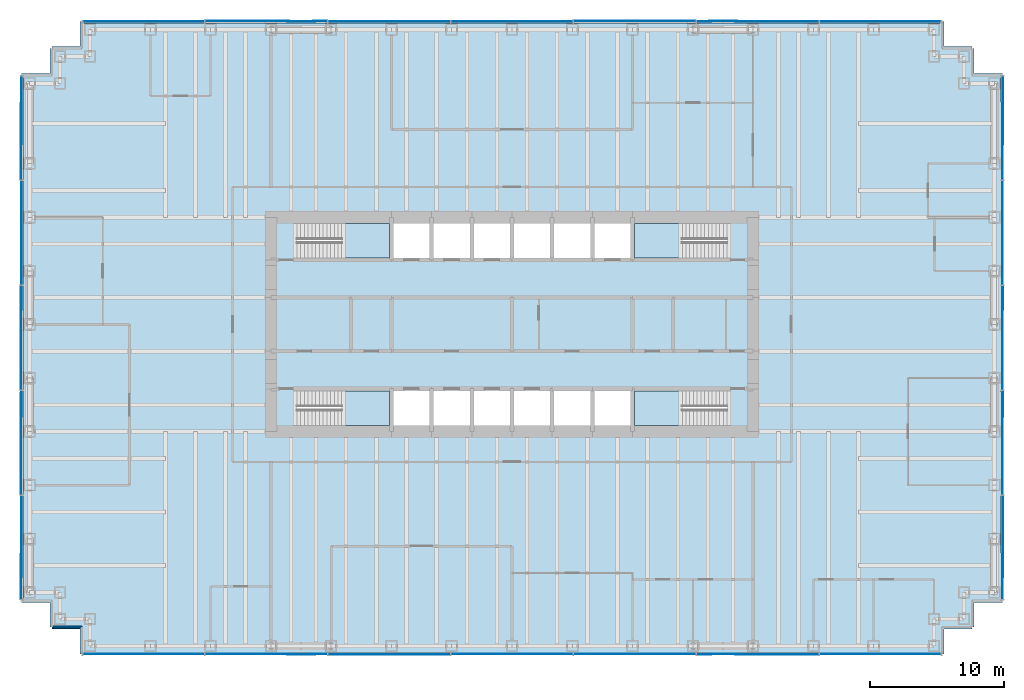
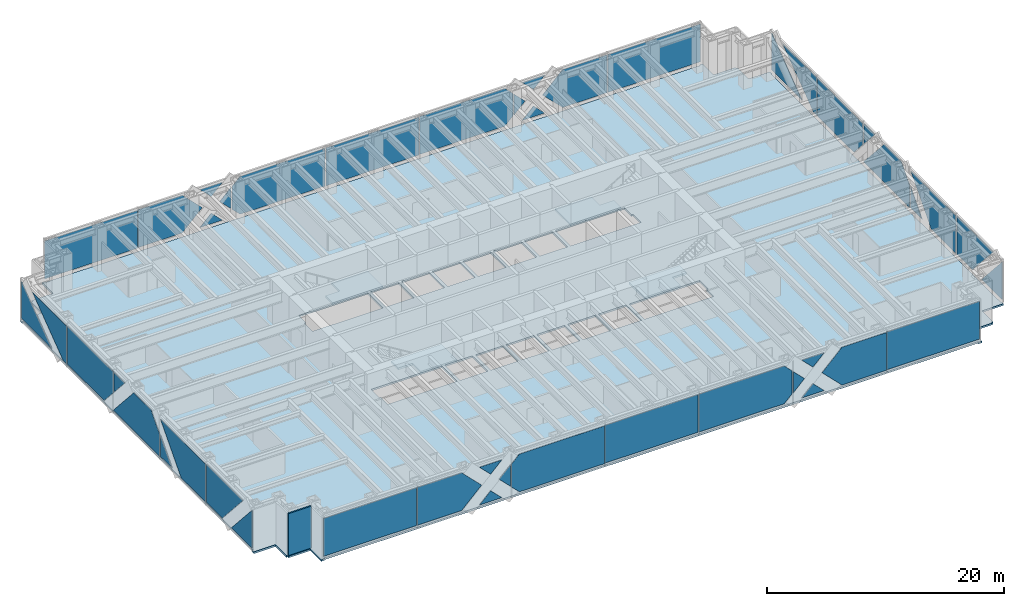
# One storey, part 8 of 13: 44 plates, 5 slabs, 1 wall, 8 elements without a shape of their own.
"""IFC4 building model written with IfcOpenShell, lengths in metres."""

from ifc_helpers import new_model, si_unit, direction, frame, frame_2d, origin, origin_2d, place, context, subcontext, project, spatial, polyline, rectangle, outline, extrude, material, layer, layer_set, type_object, element, aggregate, save


model = new_model("IFC4")

# Units and contexts
model_context = context("Model", 3, precision=1e-05, world=origin(), true_north=direction((0.0, 1.0)))
body_context = subcontext(model_context, "Body", "Model", "MODEL_VIEW")
ifc_project = project(units=[si_unit("LENGTHUNIT", "METRE"), si_unit("AREAUNIT", "SQUARE_METRE"), si_unit("VOLUMEUNIT", "CUBIC_METRE"), si_unit("PLANEANGLEUNIT", "RADIAN"), si_unit("MASSUNIT", "GRAM", prefix="KILO")], contexts=[model_context])

# Site, building, storey
site_placement = place(None, origin())
site = spatial("IfcSite", under=ifc_project, at=site_placement, CompositionType="ELEMENT")
building_placement = place(site_placement, origin())
building = spatial("IfcBuilding", under=site, at=building_placement, Name="Rheinbord Bourse Tower", CompositionType="ELEMENT")
storey_placement = place(building_placement, frame((0.0, 0.0, 77.0)))
storey = spatial("IfcBuildingStorey", under=building, at=storey_placement, Name="L16", CompositionType="ELEMENT", Elevation=77.0)

# Slab
ifc_material_1 = material(Name="Concrete C30/37", Category="concrete")
ifc_layer_1 = layer(ifc_material_1, 0.179931640625)
ifc_layer_set_1 = layer_set([ifc_layer_1], Name="COMPOSITE FLOOR SLAB 180")
slab_type_1 = type_object("IfcSlabType", Name="COMPOSITE FLOOR SLAB 180", PredefinedType="FLOOR", material=ifc_layer_set_1)
slab_1_placement = place(storey_placement, frame((0.0, 0.0, -0.179931640625)))
element("IfcSlab", 1, at=slab_1_placement, inside=storey, type_object=slab_type_1, Name="Floor slab L16", PredefinedType="FLOOR", context=body_context, shape_type="SweptSolid", body=[
    extrude(outline(polyline([(1.64990234375, 1.39990234375), (1.5, 1.39990234375), (1.5, 3.25), (-0.60009765625, 3.25), (-0.60009765625, 3.550048828125), (-0.5, 3.550048828125), (-0.5, 42.449951171875), (-0.60009765625, 42.449951171875), (-0.60009765625, 42.75), (1.5, 42.75), (1.5, 44.60009765625), (1.64990234375, 44.60009765625), (1.64990234375, 44.75), (3.75, 44.75), (3.75, 46.60009765625), (4.050048828125, 46.60009765625), (4.050048828125, 46.5), (67.949951171875, 46.5), (67.949951171875, 46.60009765625), (68.25, 46.60009765625), (68.25, 44.75), (70.35009765625, 44.75), (70.35009765625, 44.60009765625), (70.5, 44.60009765625), (70.5, 42.75), (72.60009765625, 42.75), (72.60009765625, 42.449951171875), (72.5, 42.449951171875), (72.5, 3.550048828125), (72.60009765625, 3.550048828125), (72.60009765625, 3.25), (70.5, 3.25), (70.5, 1.39990234375), (70.35009765625, 1.39990234375), (70.35009765625, 1.25), (68.25, 1.25), (68.25, -0.60009765625), (67.949951171875, -0.60009765625), (67.949951171875, -0.5), (4.050048828125, -0.5), (4.050048828125, -0.60009765625), (3.75, -0.60009765625), (3.75, 1.25), (1.64990234375, 1.25), (1.64990234375, 1.39990234375)]), holes=[polyline([(19.949951171875, 19.050048828125), (26.85009765625, 19.050048828125), (26.85009765625, 16.449951171875), (20.10009765625, 16.449951171875), (20.10009765625, 17.64990234375), (19.949951171875, 17.64990234375), (19.949951171875, 19.050048828125)]), polyline([(26.85009765625, 31.550048828125), (26.85009765625, 28.949951171875), (19.949951171875, 28.949951171875), (19.949951171875, 30.35009765625), (20.10009765625, 30.35009765625), (20.10009765625, 31.550048828125), (26.85009765625, 31.550048828125)]), polyline([(45.14990234375, 16.449951171875), (45.14990234375, 19.050048828125), (52.050048828125, 19.050048828125), (52.050048828125, 17.64990234375), (51.89990234375, 17.64990234375), (51.89990234375, 16.449951171875), (45.14990234375, 16.449951171875)]), polyline([(52.050048828125, 28.949951171875), (45.14990234375, 28.949951171875), (45.14990234375, 31.550048828125), (51.89990234375, 31.550048828125), (51.89990234375, 30.35009765625), (52.050048828125, 30.35009765625), (52.050048828125, 28.949951171875)]), polyline([(27.14990234375, 16.449951171875), (27.14990234375, 19.050048828125), (29.85009765625, 19.050048828125), (29.85009765625, 16.449951171875), (27.14990234375, 16.449951171875)]), polyline([(27.14990234375, 28.949951171875), (27.14990234375, 31.550048828125), (29.85009765625, 31.550048828125), (29.85009765625, 28.949951171875), (27.14990234375, 28.949951171875)]), polyline([(30.14990234375, 16.449951171875), (30.14990234375, 19.050048828125), (32.85009765625, 19.050048828125), (32.85009765625, 16.449951171875), (30.14990234375, 16.449951171875)]), polyline([(30.14990234375, 28.949951171875), (30.14990234375, 31.550048828125), (32.85009765625, 31.550048828125), (32.85009765625, 28.949951171875), (30.14990234375, 28.949951171875)]), polyline([(33.14990234375, 16.449951171875), (33.14990234375, 19.050048828125), (35.85009765625, 19.050048828125), (35.85009765625, 16.449951171875), (33.14990234375, 16.449951171875)]), polyline([(33.14990234375, 28.949951171875), (33.14990234375, 31.550048828125), (35.85009765625, 31.550048828125), (35.85009765625, 28.949951171875), (33.14990234375, 28.949951171875)]), polyline([(36.14990234375, 16.449951171875), (36.14990234375, 19.050048828125), (38.85009765625, 19.050048828125), (38.85009765625, 16.449951171875), (36.14990234375, 16.449951171875)]), polyline([(36.14990234375, 28.949951171875), (36.14990234375, 31.550048828125), (38.85009765625, 31.550048828125), (38.85009765625, 28.949951171875), (36.14990234375, 28.949951171875)]), polyline([(39.14990234375, 16.449951171875), (39.14990234375, 19.050048828125), (41.85009765625, 19.050048828125), (41.85009765625, 16.449951171875), (39.14990234375, 16.449951171875)]), polyline([(39.14990234375, 28.949951171875), (39.14990234375, 31.550048828125), (41.85009765625, 31.550048828125), (41.85009765625, 28.949951171875), (39.14990234375, 28.949951171875)]), polyline([(42.14990234375, 16.449951171875), (42.14990234375, 19.050048828125), (44.85009765625, 19.050048828125), (44.85009765625, 16.449951171875), (42.14990234375, 16.449951171875)]), polyline([(42.14990234375, 28.949951171875), (42.14990234375, 31.550048828125), (44.85009765625, 31.550048828125), (44.85009765625, 28.949951171875), (42.14990234375, 28.949951171875)])]), origin(), (0.0, 0.0, 1.0), 0.179931640625),
])

# Curtain wall, plates
ifc_material_2 = material(Name="Dark glass and black aluminium", Category="aluminium")
curtain_wall_type = type_object("IfcCurtainWallType", Name="CW1 DARK GLASS CURTAIN WALL", PredefinedType="USERDEFINED", material=ifc_material_2)
curtain_wall_1_placement = place(storey_placement, origin())
curtain_wall_1 = element("IfcCurtainWall", 2, at=curtain_wall_1_placement, inside=storey, type_object=curtain_wall_type, Name="Curtain wall CW1 S L16", ObjectType="UNITISED CURTAIN WALL", PredefinedType="USERDEFINED")
ifc_material_3 = material(Name="Dark tinted triple insulating glass", Category="glass")
ifc_layer_2 = layer(ifc_material_3, 0.0439453125)
ifc_layer_set_2 = layer_set([ifc_layer_2], Name="CW1 DARK GLASS PANEL")
plate_type = type_object("IfcPlateType", Name="CW1 DARK GLASS PANEL", PredefinedType="CURTAIN_PANEL", material=ifc_layer_set_2)
plate_1_placement = place(storey_placement, frame((8.505615234375, -0.60009765625, 0.300048828125), z_axis=(0.0, 0.0, 1.0), x_axis=(1.0, 0.0, 0.0)))
plate_1 = element("IfcPlate", 3, at=plate_1_placement, type_object=plate_type, Name="CW1 panel 1.1", PredefinedType="CURTAIN_PANEL", context=body_context, shape_type="SweptSolid", body=[
    extrude(rectangle(XDim=9.051513671875, YDim=0.0439453125, at=origin_2d()), origin(), (0.0, 0.0, 1.0), 3.89990234375),
])
plate_2_placement = place(storey_placement, frame((36.0, -0.60009765625, 0.300048828125), z_axis=(0.0, 0.0, 1.0), x_axis=(1.0, 0.0, 0.0)))
plate_2 = element("IfcPlate", 4, at=plate_2_placement, type_object=plate_type, Name="CW1 panel 4.1", PredefinedType="CURTAIN_PANEL", context=body_context, shape_type="SweptSolid", body=[
    extrude(rectangle(XDim=9.09130859375, YDim=0.0439453125, at=origin_2d()), origin(), (0.0, 0.0, 1.0), 3.89990234375),
])
plate_3_placement = place(storey_placement, frame((63.494384765625, -0.60009765625, 0.300048828125), z_axis=(0.0, 0.0, 1.0), x_axis=(1.0, 0.0, 0.0)))
plate_3 = element("IfcPlate", 5, at=plate_3_placement, type_object=plate_type, Name="CW1 panel 7.1", PredefinedType="CURTAIN_PANEL", context=body_context, shape_type="SweptSolid", body=[
    extrude(rectangle(XDim=9.051513671875, YDim=0.0439453125, at=origin_2d()), origin(), (0.0, 0.0, 1.0), 3.89990234375),
])
plate_4_placement = place(storey_placement, frame((13.111083984375, -0.6220703125, 0.300048828125), z_axis=(0.0, 1.0, 0.0), x_axis=(0.0, 0.0, 1.0)))
plate_4 = element("IfcPlate", 6, at=plate_4_placement, type_object=plate_type, Name="CW1 glass facet 1", PredefinedType="CURTAIN_PANEL", context=body_context, shape_type="SweptSolid", body=[
    extrude(outline(polyline([(0.0, 0.0), (3.89990234375, 0.0), (3.89990234375, 4.3330078125), (1.949951171875, 6.282958984375), (0.0, 4.3330078125), (0.0, 0.0)])), origin(), (0.0, 0.0, 1.0), 0.0439453125),
])
plate_5_placement = place(storey_placement, frame((19.156005859375, -0.6708984375, 0.300048828125), z_axis=(0.0, 1.0, 0.0), x_axis=(0.707106781187, 0.0, 0.707106781187)))
plate_5 = element("IfcPlate", 7, at=plate_5_placement, type_object=plate_type, Name="CW1 glass facet 2", PredefinedType="CURTAIN_PANEL", context=body_context, shape_type="SweptSolid", body=[
    extrude(outline(polyline([(0.0, 0.0), (1.547119140625, 0.0), (1.547119140625, 1.547119140625), (0.0, 0.0)])), origin(), (0.0, 0.0, 1.0), 0.0439453125),
])
plate_6_placement = place(storey_placement, frame((21.343994140625, -0.6708984375, 4.199951171875), z_axis=(0.0, 1.0, 0.0), x_axis=(-0.707106781187, 0.0, -0.707106781187)))
plate_6 = element("IfcPlate", 8, at=plate_6_placement, type_object=plate_type, Name="CW1 glass facet 3", PredefinedType="CURTAIN_PANEL", context=body_context, shape_type="SweptSolid", body=[
    extrude(outline(polyline([(0.0, 0.0), (1.547119140625, 0.0), (1.547119140625, 1.547119140625), (0.0, 0.0)])), origin(), (0.0, 0.0, 1.0), 0.0439453125),
])
plate_7_placement = place(storey_placement, frame((22.202880859375, -0.6220703125, 1.153076171875), z_axis=(0.0, 1.0, 0.0), x_axis=(-0.707106781187, 0.0, 0.707106781187)))
plate_7 = element("IfcPlate", 9, at=plate_7_placement, type_object=plate_type, Name="CW1 glass facet 4", PredefinedType="CURTAIN_PANEL", context=body_context, shape_type="SweptSolid", body=[
    extrude(outline(polyline([(0.0, 0.0), (1.55126953125, 0.0), (1.55126953125, 1.55126953125), (0.0, 0.0)])), origin(), (0.0, 0.0, 1.0), 0.0439453125),
])
plate_8_placement = place(storey_placement, frame((31.3740234375, -0.6708984375, 4.199951171875), z_axis=(0.0, 1.0, 0.0), x_axis=(0.0, 0.0, -1.0)))
plate_8 = element("IfcPlate", 10, at=plate_8_placement, type_object=plate_type, Name="CW1 glass facet 1", PredefinedType="CURTAIN_PANEL", context=body_context, shape_type="SweptSolid", body=[
    extrude(outline(polyline([(0.0, 0.0), (3.89990234375, 0.0), (3.89990234375, 8.318115234375), (3.126953125, 9.091064453125), (0.77294921875, 9.091064453125), (0.0, 8.318115234375), (0.0, 0.0)])), origin(), (0.0, 0.0, 1.0), 0.0439453125),
])
plate_9_placement = place(storey_placement, frame((40.6259765625, -0.6220703125, 0.300048828125), z_axis=(0.0, 1.0, 0.0), x_axis=(0.0, 0.0, 1.0)))
plate_9 = element("IfcPlate", 11, at=plate_9_placement, type_object=plate_type, Name="CW1 glass facet 1", PredefinedType="CURTAIN_PANEL", context=body_context, shape_type="SweptSolid", body=[
    extrude(outline(polyline([(0.0, 0.0), (3.89990234375, 0.0), (3.89990234375, 8.318115234375), (3.126953125, 9.091064453125), (0.77294921875, 9.091064453125), (0.0, 8.318115234375), (0.0, 0.0)])), origin(), (0.0, 0.0, 1.0), 0.0439453125),
])
plate_10_placement = place(storey_placement, frame((49.797119140625, -0.6708984375, 3.346923828125), z_axis=(0.0, 1.0, 0.0), x_axis=(0.707106781187, 0.0, -0.707106781187)))
plate_10 = element("IfcPlate", 12, at=plate_10_placement, type_object=plate_type, Name="CW1 glass facet 1", PredefinedType="CURTAIN_PANEL", context=body_context, shape_type="SweptSolid", body=[
    extrude(outline(polyline([(0.0, 0.0), (1.55126953125, 0.0), (1.55126953125, 1.55126953125), (0.0, 0.0)])), origin(), (0.0, 0.0, 1.0), 0.0439453125),
])
plate_11_placement = place(storey_placement, frame((50.656005859375, -0.6220703125, 0.300048828125), z_axis=(0.0, 1.0, 0.0), x_axis=(0.707106781187, 0.0, 0.707106781187)))
plate_11 = element("IfcPlate", 13, at=plate_11_placement, type_object=plate_type, Name="CW1 glass facet 2", PredefinedType="CURTAIN_PANEL", context=body_context, shape_type="SweptSolid", body=[
    extrude(outline(polyline([(0.0, 0.0), (1.547119140625, 0.0), (1.547119140625, 1.547119140625), (0.0, 0.0)])), origin(), (0.0, 0.0, 1.0), 0.0439453125),
])
plate_12_placement = place(storey_placement, frame((52.843994140625, -0.6220703125, 4.199951171875), z_axis=(0.0, 1.0, 0.0), x_axis=(-0.707106781187, 0.0, -0.707106781187)))
plate_12 = element("IfcPlate", 14, at=plate_12_placement, type_object=plate_type, Name="CW1 glass facet 3", PredefinedType="CURTAIN_PANEL", context=body_context, shape_type="SweptSolid", body=[
    extrude(outline(polyline([(0.0, 0.0), (1.547119140625, 0.0), (1.547119140625, 1.547119140625), (0.0, 0.0)])), origin(), (0.0, 0.0, 1.0), 0.0439453125),
])
plate_13_placement = place(storey_placement, frame((58.888916015625, -0.6708984375, 4.199951171875), z_axis=(0.0, 1.0, 0.0), x_axis=(0.0, 0.0, -1.0)))
plate_13 = element("IfcPlate", 15, at=plate_13_placement, type_object=plate_type, Name="CW1 glass facet 4", PredefinedType="CURTAIN_PANEL", context=body_context, shape_type="SweptSolid", body=[
    extrude(outline(polyline([(0.0, 0.0), (3.89990234375, 0.0), (3.89990234375, 4.3330078125), (1.949951171875, 6.282958984375), (0.0, 4.3330078125), (0.0, 0.0)])), origin(), (0.0, 0.0, 1.0), 0.0439453125),
])
aggregate(curtain_wall_1, [plate_1, plate_2, plate_3, plate_4, plate_5, plate_6, plate_7, plate_8, plate_9, plate_10, plate_11, plate_12, plate_13])

curtain_wall_2_placement = place(storey_placement, origin())
curtain_wall_2 = element("IfcCurtainWall", 16, at=curtain_wall_2_placement, inside=storey, type_object=curtain_wall_type, Name="Curtain wall CW1 E L16", ObjectType="UNITISED CURTAIN WALL", PredefinedType="USERDEFINED")
plate_14_placement = place(storey_placement, frame((72.6220703125, 3.47998046875, 0.300048828125), z_axis=(-1.0, 0.0, 0.0), x_axis=(0.0, 0.0, 1.0)))
plate_14 = element("IfcPlate", 17, at=plate_14_placement, type_object=plate_type, Name="CW1 glass facet 1", PredefinedType="CURTAIN_PANEL", context=body_context, shape_type="SweptSolid", body=[
    extrude(outline(polyline([(0.0, 0.0), (3.8740234375, 0.0), (0.0, 3.444091796875), (0.0, 0.0)])), origin(), (0.0, 0.0, 1.0), 0.0439453125),
])
plate_15_placement = place(storey_placement, frame((72.6708984375, 11.199951171875, 4.199951171875), z_axis=(-1.0, 0.0, 0.0), x_axis=(0.0, 0.0, -1.0)))
plate_15 = element("IfcPlate", 18, at=plate_15_placement, type_object=plate_type, Name="CW1 glass facet 2", PredefinedType="CURTAIN_PANEL", context=body_context, shape_type="SweptSolid", body=[
    extrude(outline(polyline([(0.0, 0.0), (3.89990234375, 0.0), (3.89990234375, 2.656982421875), (0.0, 6.1240234375), (0.0, 0.0)])), origin(), (0.0, 0.0, 1.0), 0.0439453125),
])
plate_16_placement = place(storey_placement, frame((72.6220703125, 11.280029296875, 0.300048828125), z_axis=(-1.0, 0.0, 0.0), x_axis=(0.0, 0.0, 1.0)))
plate_16 = element("IfcPlate", 19, at=plate_16_placement, type_object=plate_type, Name="CW1 glass facet 1", PredefinedType="CURTAIN_PANEL", context=body_context, shape_type="SweptSolid", body=[
    extrude(outline(polyline([(0.0, 0.0), (3.89990234375, 0.0), (3.89990234375, 7.64404296875), (0.0, 4.177001953125), (0.0, 0.0)])), origin(), (0.0, 0.0, 1.0), 0.0439453125),
])
plate_17_placement = place(storey_placement, frame((72.6708984375, 19.0400390625, 0.300048828125), z_axis=(-1.0, 0.0, 0.0), x_axis=(0.0, -1.0, 0.0)))
plate_17 = element("IfcPlate", 20, at=plate_17_placement, type_object=plate_type, Name="CW1 glass facet 2", PredefinedType="CURTAIN_PANEL", context=body_context, shape_type="SweptSolid", body=[
    extrude(outline(polyline([(0.0, 0.0), (1.964111328125, 0.0), (0.0, 2.208984375), (0.0, 0.0)])), origin(), (0.0, 0.0, 1.0), 0.0439453125),
])
plate_18_placement = place(storey_placement, frame((72.6220703125, 26.8798828125, 0.300048828125), z_axis=(-1.0, 0.0, 0.0), x_axis=(0.0, -1.0, 0.0)))
plate_18 = element("IfcPlate", 21, at=plate_18_placement, type_object=plate_type, Name="CW1 glass facet 1", PredefinedType="CURTAIN_PANEL", context=body_context, shape_type="SweptSolid", body=[
    extrude(outline(polyline([(0.0, 0.0), (7.759765625, 0.0), (7.759765625, 2.299072265625), (6.3369140625, 3.89990234375), (3.4228515625, 3.89990234375), (0.0, 0.049072265625), (0.0, 0.0)])), origin(), (0.0, 0.0, 1.0), 0.0439453125),
])
plate_19_placement = place(storey_placement, frame((72.6708984375, 26.8798828125, 4.199951171875), z_axis=(-1.0, 0.0, 0.0), x_axis=(0.0, 0.0, -1.0)))
plate_19 = element("IfcPlate", 22, at=plate_19_placement, type_object=plate_type, Name="CW1 glass facet 2", PredefinedType="CURTAIN_PANEL", context=body_context, shape_type="SweptSolid", body=[
    extrude(outline(polyline([(0.0, 0.0), (2.029052734375, 0.0), (0.0, 1.803955078125), (0.0, 0.0)])), origin(), (0.0, 0.0, 1.0), 0.0439453125),
])
plate_20_placement = place(storey_placement, frame((72.6220703125, 26.9599609375, 4.199951171875), z_axis=(-1.0, 0.0, 0.0), x_axis=(0.0, 1.0, 0.0)))
plate_20 = element("IfcPlate", 23, at=plate_20_placement, type_object=plate_type, Name="CW1 glass facet 1", PredefinedType="CURTAIN_PANEL", context=body_context, shape_type="SweptSolid", body=[
    extrude(outline(polyline([(0.0, 0.0), (7.760009765625, 0.0), (7.760009765625, 3.89990234375), (1.5830078125, 3.89990234375), (0.0, 2.118896484375), (0.0, 0.0)])), origin(), (0.0, 0.0, 1.0), 0.0439453125),
])
plate_21_placement = place(storey_placement, frame((72.6220703125, 34.800048828125, 0.300048828125), z_axis=(-1.0, 0.0, 0.0), x_axis=(0.0, 0.0, 1.0)))
plate_21 = element("IfcPlate", 24, at=plate_21_placement, type_object=plate_type, Name="CW1 glass facet 1", PredefinedType="CURTAIN_PANEL", context=body_context, shape_type="SweptSolid", body=[
    extrude(outline(polyline([(0.0, 0.0), (3.89990234375, 0.0), (3.89990234375, 5.7919921875), (0.0, 0.592041015625), (0.0, 0.0)])), origin(), (0.0, 0.0, 1.0), 0.0439453125),
])
plate_22_placement = place(storey_placement, frame((72.6708984375, 42.52001953125, 0.300048828125), z_axis=(-1.0, 0.0, 0.0), x_axis=(0.0, -1.0, 0.0)))
plate_22 = element("IfcPlate", 25, at=plate_22_placement, type_object=plate_type, Name="CW1 glass facet 2", PredefinedType="CURTAIN_PANEL", context=body_context, shape_type="SweptSolid", body=[
    extrude(outline(polyline([(0.0, 0.0), (5.112060546875, 0.0), (0.0, 3.833984375), (0.0, 0.0)])), origin(), (0.0, 0.0, 1.0), 0.0439453125),
])
aggregate(curtain_wall_2, [plate_14, plate_15, plate_16, plate_17, plate_18, plate_19, plate_20, plate_21, plate_22])

curtain_wall_3_placement = place(storey_placement, origin())
curtain_wall_3 = element("IfcCurtainWall", 26, at=curtain_wall_3_placement, inside=storey, type_object=curtain_wall_type, Name="Curtain wall CW1 N L16", ObjectType="UNITISED CURTAIN WALL", PredefinedType="USERDEFINED")
plate_23_placement = place(storey_placement, frame((63.494384765625, 46.60009765625, 0.300048828125), z_axis=(0.0, 0.0, 1.0), x_axis=(-1.0, 0.0, 0.0)))
plate_23 = element("IfcPlate", 27, at=plate_23_placement, type_object=plate_type, Name="CW1 panel 1.1", PredefinedType="CURTAIN_PANEL", context=body_context, shape_type="SweptSolid", body=[
    extrude(rectangle(XDim=9.051513671875, YDim=0.0439453125, at=origin_2d()), origin(), (0.0, 0.0, 1.0), 3.89990234375),
])
plate_24_placement = place(storey_placement, frame((36.0, 46.60009765625, 0.300048828125), z_axis=(0.0, 0.0, 1.0), x_axis=(-1.0, 0.0, 0.0)))
plate_24 = element("IfcPlate", 28, at=plate_24_placement, type_object=plate_type, Name="CW1 panel 4.1", PredefinedType="CURTAIN_PANEL", context=body_context, shape_type="SweptSolid", body=[
    extrude(rectangle(XDim=9.09130859375, YDim=0.0439453125, at=origin_2d()), origin(), (0.0, 0.0, 1.0), 3.89990234375),
])
plate_25_placement = place(storey_placement, frame((8.505615234375, 46.60009765625, 0.300048828125), z_axis=(0.0, 0.0, 1.0), x_axis=(-1.0, 0.0, 0.0)))
plate_25 = element("IfcPlate", 29, at=plate_25_placement, type_object=plate_type, Name="CW1 panel 7.1", PredefinedType="CURTAIN_PANEL", context=body_context, shape_type="SweptSolid", body=[
    extrude(rectangle(XDim=9.051513671875, YDim=0.0439453125, at=origin_2d()), origin(), (0.0, 0.0, 1.0), 3.89990234375),
])
plate_26_placement = place(storey_placement, frame((58.888916015625, 46.6220703125, 0.300048828125), z_axis=(0.0, -1.0, 0.0), x_axis=(0.0, 0.0, 1.0)))
plate_26 = element("IfcPlate", 30, at=plate_26_placement, type_object=plate_type, Name="CW1 glass facet 1", PredefinedType="CURTAIN_PANEL", context=body_context, shape_type="SweptSolid", body=[
    extrude(outline(polyline([(0.0, 0.0), (3.89990234375, 0.0), (3.89990234375, 4.3330078125), (1.949951171875, 6.282958984375), (0.0, 4.3330078125), (0.0, 0.0)])), origin(), (0.0, 0.0, 1.0), 0.0439453125),
])
plate_27_placement = place(storey_placement, frame((52.843994140625, 46.6708984375, 0.300048828125), z_axis=(0.0, -1.0, 0.0), x_axis=(-0.707106781187, 0.0, 0.707106781187)))
plate_27 = element("IfcPlate", 31, at=plate_27_placement, type_object=plate_type, Name="CW1 glass facet 2", PredefinedType="CURTAIN_PANEL", context=body_context, shape_type="SweptSolid", body=[
    extrude(outline(polyline([(0.0, 0.0), (1.547119140625, 0.0), (1.547119140625, 1.547119140625), (0.0, 0.0)])), origin(), (0.0, 0.0, 1.0), 0.0439453125),
])
plate_28_placement = place(storey_placement, frame((50.656005859375, 46.6708984375, 4.199951171875), z_axis=(0.0, -1.0, 0.0), x_axis=(0.707106781187, 0.0, -0.707106781187)))
plate_28 = element("IfcPlate", 32, at=plate_28_placement, type_object=plate_type, Name="CW1 glass facet 3", PredefinedType="CURTAIN_PANEL", context=body_context, shape_type="SweptSolid", body=[
    extrude(outline(polyline([(0.0, 0.0), (1.547119140625, 0.0), (1.547119140625, 1.547119140625), (0.0, 0.0)])), origin(), (0.0, 0.0, 1.0), 0.0439453125),
])
plate_29_placement = place(storey_placement, frame((49.797119140625, 46.6220703125, 1.153076171875), z_axis=(0.0, -1.0, 0.0), x_axis=(0.707106781187, 0.0, 0.707106781187)))
plate_29 = element("IfcPlate", 33, at=plate_29_placement, type_object=plate_type, Name="CW1 glass facet 4", PredefinedType="CURTAIN_PANEL", context=body_context, shape_type="SweptSolid", body=[
    extrude(outline(polyline([(0.0, 0.0), (1.55126953125, 0.0), (1.55126953125, 1.55126953125), (0.0, 0.0)])), origin(), (0.0, 0.0, 1.0), 0.0439453125),
])
plate_30_placement = place(storey_placement, frame((40.6259765625, 46.6708984375, 4.199951171875), z_axis=(0.0, -1.0, 0.0), x_axis=(0.0, 0.0, -1.0)))
plate_30 = element("IfcPlate", 34, at=plate_30_placement, type_object=plate_type, Name="CW1 glass facet 1", PredefinedType="CURTAIN_PANEL", context=body_context, shape_type="SweptSolid", body=[
    extrude(outline(polyline([(0.0, 0.0), (3.89990234375, 0.0), (3.89990234375, 8.318115234375), (3.126953125, 9.091064453125), (0.77294921875, 9.091064453125), (0.0, 8.318115234375), (0.0, 0.0)])), origin(), (0.0, 0.0, 1.0), 0.0439453125),
])
plate_31_placement = place(storey_placement, frame((31.3740234375, 46.6220703125, 0.300048828125), z_axis=(0.0, -1.0, 0.0), x_axis=(0.0, 0.0, 1.0)))
plate_31 = element("IfcPlate", 35, at=plate_31_placement, type_object=plate_type, Name="CW1 glass facet 1", PredefinedType="CURTAIN_PANEL", context=body_context, shape_type="SweptSolid", body=[
    extrude(outline(polyline([(0.0, 0.0), (3.89990234375, 0.0), (3.89990234375, 8.318115234375), (3.126953125, 9.091064453125), (0.77294921875, 9.091064453125), (0.0, 8.318115234375), (0.0, 0.0)])), origin(), (0.0, 0.0, 1.0), 0.0439453125),
])
plate_32_placement = place(storey_placement, frame((22.202880859375, 46.6708984375, 3.346923828125), z_axis=(0.0, -1.0, 0.0), x_axis=(-0.707106781187, 0.0, -0.707106781187)))
plate_32 = element("IfcPlate", 36, at=plate_32_placement, type_object=plate_type, Name="CW1 glass facet 1", PredefinedType="CURTAIN_PANEL", context=body_context, shape_type="SweptSolid", body=[
    extrude(outline(polyline([(0.0, 0.0), (1.55126953125, 0.0), (1.55126953125, 1.55126953125), (0.0, 0.0)])), origin(), (0.0, 0.0, 1.0), 0.0439453125),
])
plate_33_placement = place(storey_placement, frame((21.343994140625, 46.6220703125, 0.300048828125), z_axis=(0.0, -1.0, 0.0), x_axis=(-0.707106781187, 0.0, 0.707106781187)))
plate_33 = element("IfcPlate", 37, at=plate_33_placement, type_object=plate_type, Name="CW1 glass facet 2", PredefinedType="CURTAIN_PANEL", context=body_context, shape_type="SweptSolid", body=[
    extrude(outline(polyline([(0.0, 0.0), (1.547119140625, 0.0), (1.547119140625, 1.547119140625), (0.0, 0.0)])), origin(), (0.0, 0.0, 1.0), 0.0439453125),
])
plate_34_placement = place(storey_placement, frame((19.156005859375, 46.6220703125, 4.199951171875), z_axis=(0.0, -1.0, 0.0), x_axis=(0.707106781187, 0.0, -0.707106781187)))
plate_34 = element("IfcPlate", 38, at=plate_34_placement, type_object=plate_type, Name="CW1 glass facet 3", PredefinedType="CURTAIN_PANEL", context=body_context, shape_type="SweptSolid", body=[
    extrude(outline(polyline([(0.0, 0.0), (1.547119140625, 0.0), (1.547119140625, 1.547119140625), (0.0, 0.0)])), origin(), (0.0, 0.0, 1.0), 0.0439453125),
])
plate_35_placement = place(storey_placement, frame((13.111083984375, 46.6708984375, 4.199951171875), z_axis=(0.0, -1.0, 0.0), x_axis=(0.0, 0.0, -1.0)))
plate_35 = element("IfcPlate", 39, at=plate_35_placement, type_object=plate_type, Name="CW1 glass facet 4", PredefinedType="CURTAIN_PANEL", context=body_context, shape_type="SweptSolid", body=[
    extrude(outline(polyline([(0.0, 0.0), (3.89990234375, 0.0), (3.89990234375, 4.3330078125), (1.949951171875, 6.282958984375), (0.0, 4.3330078125), (0.0, 0.0)])), origin(), (0.0, 0.0, 1.0), 0.0439453125),
])
aggregate(curtain_wall_3, [plate_23, plate_24, plate_25, plate_26, plate_27, plate_28, plate_29, plate_30, plate_31, plate_32, plate_33, plate_34, plate_35])

curtain_wall_4_placement = place(storey_placement, origin())
curtain_wall_4 = element("IfcCurtainWall", 40, at=curtain_wall_4_placement, inside=storey, type_object=curtain_wall_type, Name="Curtain wall CW1 W L16", ObjectType="UNITISED CURTAIN WALL", PredefinedType="USERDEFINED")
plate_36_placement = place(storey_placement, frame((-0.6220703125, 42.52001953125, 0.300048828125), z_axis=(1.0, 0.0, 0.0), x_axis=(0.0, 0.0, 1.0)))
plate_36 = element("IfcPlate", 41, at=plate_36_placement, type_object=plate_type, Name="CW1 glass facet 1", PredefinedType="CURTAIN_PANEL", context=body_context, shape_type="SweptSolid", body=[
    extrude(outline(polyline([(0.0, 0.0), (3.833984375, 0.0), (0.0, 5.112060546875), (0.0, 0.0)])), origin(), (0.0, 0.0, 1.0), 0.0439453125),
])
plate_37_placement = place(storey_placement, frame((-0.6708984375, 34.800048828125, 4.199951171875), z_axis=(1.0, 0.0, 0.0), x_axis=(0.0, 0.0, -1.0)))
plate_37 = element("IfcPlate", 42, at=plate_37_placement, type_object=plate_type, Name="CW1 glass facet 2", PredefinedType="CURTAIN_PANEL", context=body_context, shape_type="SweptSolid", body=[
    extrude(outline(polyline([(0.0, 0.0), (3.89990234375, 0.0), (3.89990234375, 0.592041015625), (0.0, 5.7919921875), (0.0, 0.0)])), origin(), (0.0, 0.0, 1.0), 0.0439453125),
])
plate_38_placement = place(storey_placement, frame((-0.6220703125, 34.719970703125, 0.300048828125), z_axis=(1.0, 0.0, 0.0), x_axis=(0.0, 0.0, 1.0)))
plate_38 = element("IfcPlate", 43, at=plate_38_placement, type_object=plate_type, Name="CW1 glass facet 1", PredefinedType="CURTAIN_PANEL", context=body_context, shape_type="SweptSolid", body=[
    extrude(outline(polyline([(0.0, 0.0), (3.89990234375, 0.0), (3.89990234375, 7.760009765625), (1.781005859375, 7.760009765625), (0.0, 6.177001953125), (0.0, 0.0)])), origin(), (0.0, 0.0, 1.0), 0.0439453125),
])
plate_39_placement = place(storey_placement, frame((-0.6220703125, 26.8798828125, 4.199951171875), z_axis=(1.0, 0.0, 0.0), x_axis=(0.0, -1.0, 0.0)))
plate_39 = element("IfcPlate", 44, at=plate_39_placement, type_object=plate_type, Name="CW1 glass facet 1", PredefinedType="CURTAIN_PANEL", context=body_context, shape_type="SweptSolid", body=[
    extrude(outline(polyline([(0.0, 0.0), (1.803955078125, 0.0), (0.0, 2.029052734375), (0.0, 0.0)])), origin(), (0.0, 0.0, 1.0), 0.0439453125),
])
plate_40_placement = place(storey_placement, frame((-0.6708984375, 19.1201171875, 0.300048828125), z_axis=(1.0, 0.0, 0.0), x_axis=(0.0, 1.0, 0.0)))
plate_40 = element("IfcPlate", 45, at=plate_40_placement, type_object=plate_type, Name="CW1 glass facet 2", PredefinedType="CURTAIN_PANEL", context=body_context, shape_type="SweptSolid", body=[
    extrude(outline(polyline([(0.0, 0.0), (7.759765625, 0.0), (7.759765625, 0.049072265625), (4.3369140625, 3.89990234375), (1.4228515625, 3.89990234375), (0.0, 2.299072265625), (0.0, 0.0)])), origin(), (0.0, 0.0, 1.0), 0.0439453125),
])
plate_41_placement = place(storey_placement, frame((-0.6220703125, 19.0400390625, 0.300048828125), z_axis=(1.0, 0.0, 0.0), x_axis=(0.0, 0.0, 1.0)))
plate_41 = element("IfcPlate", 46, at=plate_41_placement, type_object=plate_type, Name="CW1 glass facet 1", PredefinedType="CURTAIN_PANEL", context=body_context, shape_type="SweptSolid", body=[
    extrude(outline(polyline([(0.0, 0.0), (2.208984375, 0.0), (0.0, 1.964111328125), (0.0, 0.0)])), origin(), (0.0, 0.0, 1.0), 0.0439453125),
])
plate_42_placement = place(storey_placement, frame((-0.6708984375, 11.280029296875, 4.199951171875), z_axis=(1.0, 0.0, 0.0), x_axis=(0.0, 0.0, -1.0)))
plate_42 = element("IfcPlate", 47, at=plate_42_placement, type_object=plate_type, Name="CW1 glass facet 2", PredefinedType="CURTAIN_PANEL", context=body_context, shape_type="SweptSolid", body=[
    extrude(outline(polyline([(0.0, 0.0), (3.89990234375, 0.0), (3.89990234375, 4.177001953125), (0.0, 7.64404296875), (0.0, 0.0)])), origin(), (0.0, 0.0, 1.0), 0.0439453125),
])
plate_43_placement = place(storey_placement, frame((-0.6220703125, 11.199951171875, 0.300048828125), z_axis=(1.0, 0.0, 0.0), x_axis=(0.0, 0.0, 1.0)))
plate_43 = element("IfcPlate", 48, at=plate_43_placement, type_object=plate_type, Name="CW1 glass facet 1", PredefinedType="CURTAIN_PANEL", context=body_context, shape_type="SweptSolid", body=[
    extrude(outline(polyline([(0.0, 0.0), (3.89990234375, 0.0), (3.89990234375, 6.1240234375), (0.0, 2.656982421875), (0.0, 0.0)])), origin(), (0.0, 0.0, 1.0), 0.0439453125),
])
plate_44_placement = place(storey_placement, frame((-0.6708984375, 3.47998046875, 0.300048828125), z_axis=(1.0, 0.0, 0.0), x_axis=(0.0, 1.0, 0.0)))
plate_44 = element("IfcPlate", 49, at=plate_44_placement, type_object=plate_type, Name="CW1 glass facet 2", PredefinedType="CURTAIN_PANEL", context=body_context, shape_type="SweptSolid", body=[
    extrude(outline(polyline([(0.0, 0.0), (3.444091796875, 0.0), (0.0, 3.8740234375), (0.0, 0.0)])), origin(), (0.0, 0.0, 1.0), 0.0439453125),
])
aggregate(curtain_wall_4, [plate_36, plate_37, plate_38, plate_39, plate_40, plate_41, plate_42, plate_43, plate_44])

# Stair, slab
ifc_material_4 = material(Name="Concrete C30/37", Category="concrete")
stair_type = type_object("IfcStairType", Name="CORE STAIR HALF TURN 4500", PredefinedType="HALF_TURN_STAIR", material=ifc_material_4)
stair_1_placement = place(storey_placement, origin())
stair_1 = element("IfcStair", 50, at=stair_1_placement, inside=storey, type_object=stair_type, Name="Stair ST1 L16, type CS4", PredefinedType="HALF_TURN_STAIR")
ifc_material_5 = material(Name="Concrete C30/37", Category="concrete")
ifc_layer_3 = layer(ifc_material_5, 0.199951171875)
ifc_layer_set_3 = layer_set([ifc_layer_3], Name="STAIR LANDING 200")
slab_type_2 = type_object("IfcSlabType", Name="STAIR LANDING 200", PredefinedType="LANDING", material=ifc_layer_set_3)
slab_2_placement = place(storey_placement, frame((0.0, 0.0, 2.050048828125)))
slab_2 = element("IfcSlab", 51, at=slab_2_placement, type_object=slab_type_2, Name="Half landing ST1 L16", PredefinedType="LANDING", context=body_context, shape_type="SweptSolid", body=[
    extrude(outline(polyline([(23.31005859375, 16.449951171875), (26.85009765625, 16.449951171875), (26.85009765625, 19.050048828125), (21.916015625, 19.050048828125), (21.916015625, 17.85009765625), (23.31005859375, 17.85009765625), (23.31005859375, 16.449951171875)])), origin(), (0.0, 0.0, 1.0), 0.199951171875),
])
aggregate(stair_1, [slab_2])

stair_2_placement = place(storey_placement, origin())
stair_2 = element("IfcStair", 52, at=stair_2_placement, inside=storey, type_object=stair_type, Name="Stair ST2 L16, type CS4", PredefinedType="HALF_TURN_STAIR")
slab_3_placement = place(storey_placement, frame((0.0, 0.0, 2.050048828125)))
slab_3 = element("IfcSlab", 53, at=slab_3_placement, type_object=slab_type_2, Name="Half landing ST2 L16", PredefinedType="LANDING", context=body_context, shape_type="SweptSolid", body=[
    extrude(outline(polyline([(21.916015625, 28.949951171875), (26.85009765625, 28.949951171875), (26.85009765625, 31.550048828125), (23.31005859375, 31.550048828125), (23.31005859375, 30.14990234375), (21.916015625, 30.14990234375), (21.916015625, 28.949951171875)])), origin(), (0.0, 0.0, 1.0), 0.199951171875),
])
aggregate(stair_2, [slab_3])

stair_3_placement = place(storey_placement, origin())
stair_3 = element("IfcStair", 54, at=stair_3_placement, inside=storey, type_object=stair_type, Name="Stair ST3 L16, type CS4", PredefinedType="HALF_TURN_STAIR")
slab_4_placement = place(storey_placement, frame((0.0, 0.0, 2.050048828125)))
slab_4 = element("IfcSlab", 55, at=slab_4_placement, type_object=slab_type_2, Name="Half landing ST3 L16", PredefinedType="LANDING", context=body_context, shape_type="SweptSolid", body=[
    extrude(outline(polyline([(45.14990234375, 16.449951171875), (48.68994140625, 16.449951171875), (48.68994140625, 17.85009765625), (50.083984375, 17.85009765625), (50.083984375, 19.050048828125), (45.14990234375, 19.050048828125), (45.14990234375, 16.449951171875)])), origin(), (0.0, 0.0, 1.0), 0.199951171875),
])
aggregate(stair_3, [slab_4])

stair_4_placement = place(storey_placement, origin())
stair_4 = element("IfcStair", 56, at=stair_4_placement, inside=storey, type_object=stair_type, Name="Stair ST4 L16, type CS4", PredefinedType="HALF_TURN_STAIR")
slab_5_placement = place(storey_placement, frame((0.0, 0.0, 2.050048828125)))
slab_5 = element("IfcSlab", 57, at=slab_5_placement, type_object=slab_type_2, Name="Half landing ST4 L16", PredefinedType="LANDING", context=body_context, shape_type="SweptSolid", body=[
    extrude(outline(polyline([(45.14990234375, 28.949951171875), (50.083984375, 28.949951171875), (50.083984375, 30.14990234375), (48.68994140625, 30.14990234375), (48.68994140625, 31.550048828125), (45.14990234375, 31.550048828125), (45.14990234375, 28.949951171875)])), origin(), (0.0, 0.0, 1.0), 0.199951171875),
])
aggregate(stair_4, [slab_5])

# Wall
ifc_material_6 = material(Name="Black metal rainscreen panel", Category="aluminium")
ifc_layer_4 = layer(ifc_material_6, 0.14990234375)
ifc_layer_set_4 = layer_set([ifc_layer_4], Name="CORNER PIER CLADDING 150")
wall_type = type_object("IfcWallType", Name="CORNER PIER CLADDING 150", PredefinedType="ELEMENTEDWALL", material=ifc_layer_set_4)
wall_placement = place(storey_placement, frame((1.64990234375, 1.39990234375, 0.0), z_axis=(0.0, 0.0, 1.0), x_axis=(1.0, 0.0, 0.0)))
element("IfcWall", 58, at=wall_placement, inside=storey, type_object=wall_type, Name="Corner pier cladding L16 19", PredefinedType="ELEMENTEDWALL", context=body_context, shape_type="SweptSolid", body=[
    extrude(rectangle(XDim=2.25, YDim=0.14990234375, at=frame_2d((1.125, 0.0))), origin(), (0.0, 0.0, 1.0), 4.320068359375),
])

save(model, "model.ifc")
